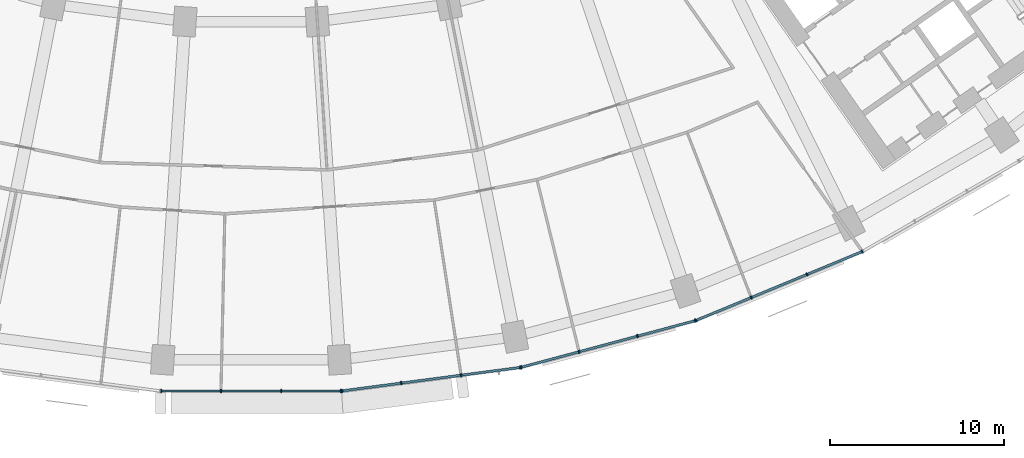
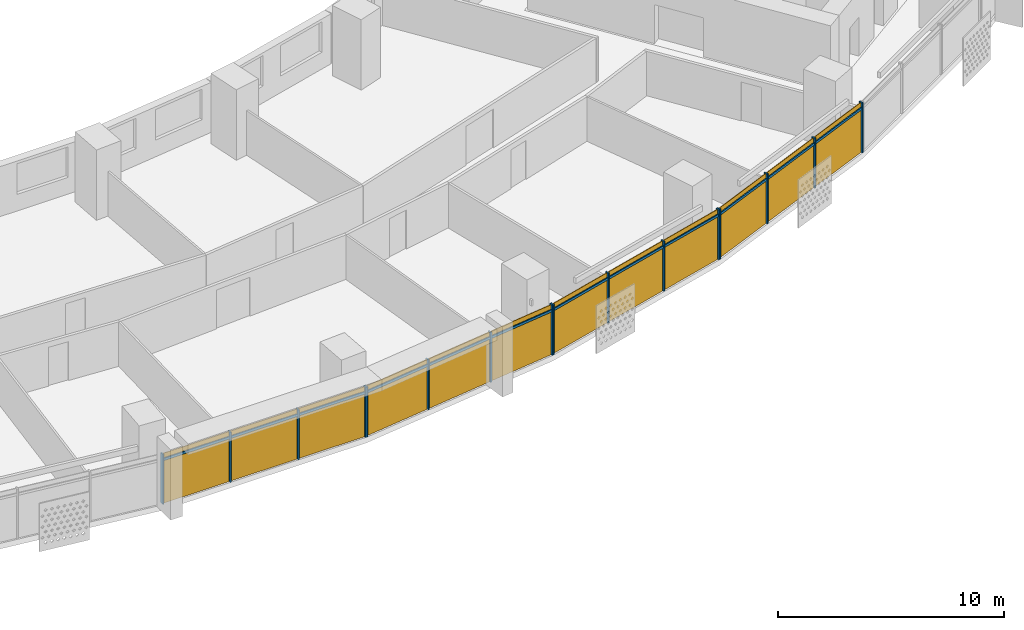
# One storey, part 22 of 31: 28 members, 4 curtain walls.
"""IFC4 building model written with IfcOpenShell, lengths in metres."""

from ifc_helpers import new_model, si_unit, direction, frame, origin, origin_2d, place, context, subcontext, project, spatial, rectangle, extrude, material, material_profile, profile_set, type_object, element, aggregate, save


model = new_model("IFC4")

# Units and contexts
model_context = context("Model", 3, precision=1e-05, world=origin(), true_north=direction((0.0, 1.0)))
body_context = subcontext(model_context, "Body", "Model", "MODEL_VIEW")
ifc_project = project(units=[si_unit("LENGTHUNIT", "METRE"), si_unit("AREAUNIT", "SQUARE_METRE"), si_unit("VOLUMEUNIT", "CUBIC_METRE"), si_unit("PLANEANGLEUNIT", "RADIAN"), si_unit("MASSUNIT", "GRAM", prefix="KILO")], contexts=[model_context])

# Member
ifc_material = material(Name="Aluminium 6063-T6 anodised", Category="aluminium")
ifc_material_profile_1 = material_profile(ifc_material, rectangle(XDim=0.199951171875, YDim=0.070068359375, at=origin_2d()))
ifc_profile_set_1 = profile_set([ifc_material_profile_1], Name="Aluminium 6063-T6 anodised")
member_type_1 = type_object("IfcMemberType", Name="Mullion 70 x 200 aluminium", PredefinedType="MULLION", material=ifc_profile_set_1)
site_placement = place(None, origin())
building_placement = place(site_placement, origin())
storey_placement = place(building_placement, frame((0.0, 0.0, 74.699951171875)))
member_1_placement = place(storey_placement, frame((-5.17431640625, -79.37939453125, 0.0), z_axis=(0.0, 0.0, 1.0), x_axis=(0.0, 1.0, 0.0)))
member_1 = element("IfcMember", 1, at=member_1_placement, type_object=member_type_1, Name="e-cw1-L15-out08/M00", PredefinedType="MULLION", context=body_context, shape_type="SweptSolid", body=[
    extrude(rectangle(XDim=0.199951171875, YDim=0.070068359375, at=origin_2d()), origin(), (0.0, 0.0, 1.0), 2.699951171875),
])

member_2_placement = place(storey_placement, frame((-1.736572265625, -79.37939453125, 0.0), z_axis=(0.0, 0.0, 1.0), x_axis=(0.0, 1.0, 0.0)))
member_2 = element("IfcMember", 2, at=member_2_placement, type_object=member_type_1, Name="e-cw1-L15-out08/M01", PredefinedType="MULLION", context=body_context, shape_type="SweptSolid", body=[
    extrude(rectangle(XDim=0.199951171875, YDim=0.070068359375, at=origin_2d()), origin(), (0.0, 0.0, 1.0), 2.699951171875),
])

member_3_placement = place(storey_placement, frame((1.736572265625, -79.37939453125, 0.0), z_axis=(0.0, 0.0, 1.0), x_axis=(0.0, 1.0, 0.0)))
member_3 = element("IfcMember", 3, at=member_3_placement, type_object=member_type_1, Name="e-cw1-L15-out08/M02", PredefinedType="MULLION", context=body_context, shape_type="SweptSolid", body=[
    extrude(rectangle(XDim=0.199951171875, YDim=0.070068359375, at=origin_2d()), origin(), (0.0, 0.0, 1.0), 2.699951171875),
])

member_4_placement = place(storey_placement, frame((5.17431640625, -79.37939453125, 0.0), z_axis=(0.0, 0.0, 1.0), x_axis=(0.0, 1.0, 0.0)))
member_4 = element("IfcMember", 4, at=member_4_placement, type_object=member_type_1, Name="e-cw1-L15-out08/M03", PredefinedType="MULLION", context=body_context, shape_type="SweptSolid", body=[
    extrude(rectangle(XDim=0.199951171875, YDim=0.070068359375, at=origin_2d()), origin(), (0.0, 0.0, 1.0), 2.699951171875),
])

member_5_placement = place(storey_placement, frame((5.23095703125, -79.375732421875, 0.0), z_axis=(0.0, 0.0, 1.0), x_axis=(-0.13052619222, 0.991444861374, 0.0)))
member_5 = element("IfcMember", 5, at=member_5_placement, type_object=member_type_1, Name="e-cw1-L15-out09/M00", PredefinedType="MULLION", context=body_context, shape_type="SweptSolid", body=[
    extrude(rectangle(XDim=0.199951171875, YDim=0.070068359375, at=origin_2d()), origin(), (0.0, 0.0, 1.0), 2.699951171875),
])

member_6_placement = place(storey_placement, frame((8.639404296875, -78.927001953125, 0.0), z_axis=(0.0, 0.0, 1.0), x_axis=(-0.13052619222, 0.991444861374, 0.0)))
member_6 = element("IfcMember", 6, at=member_6_placement, type_object=member_type_1, Name="e-cw1-L15-out09/M01", PredefinedType="MULLION", context=body_context, shape_type="SweptSolid", body=[
    extrude(rectangle(XDim=0.199951171875, YDim=0.070068359375, at=origin_2d()), origin(), (0.0, 0.0, 1.0), 2.699951171875),
])

member_7_placement = place(storey_placement, frame((12.082763671875, -78.4736328125, 0.0), z_axis=(0.0, 0.0, 1.0), x_axis=(-0.13052619222, 0.991444861374, 0.0)))
member_7 = element("IfcMember", 7, at=member_7_placement, type_object=member_type_1, Name="e-cw1-L15-out09/M02", PredefinedType="MULLION", context=body_context, shape_type="SweptSolid", body=[
    extrude(rectangle(XDim=0.199951171875, YDim=0.070068359375, at=origin_2d()), origin(), (0.0, 0.0, 1.0), 2.699951171875),
])

member_8_placement = place(storey_placement, frame((15.4912109375, -78.02490234375, 0.0), z_axis=(0.0, 0.0, 1.0), x_axis=(-0.13052619222, 0.991444861374, 0.0)))
member_8 = element("IfcMember", 8, at=member_8_placement, type_object=member_type_1, Name="e-cw1-L15-out09/M03", PredefinedType="MULLION", context=body_context, shape_type="SweptSolid", body=[
    extrude(rectangle(XDim=0.199951171875, YDim=0.070068359375, at=origin_2d()), origin(), (0.0, 0.0, 1.0), 2.699951171875),
])

member_9_placement = place(storey_placement, frame((15.546875, -78.013916015625, 0.0), z_axis=(0.0, 0.0, 1.0), x_axis=(-0.258819045103, 0.965925826289, 0.0)))
member_9 = element("IfcMember", 9, at=member_9_placement, type_object=member_type_1, Name="e-cw1-L15-out10/M00", PredefinedType="MULLION", context=body_context, shape_type="SweptSolid", body=[
    extrude(rectangle(XDim=0.199951171875, YDim=0.070068359375, at=origin_2d()), origin(), (0.0, 0.0, 1.0), 2.699951171875),
])

member_10_placement = place(storey_placement, frame((18.86767578125, -77.1240234375, 0.0), z_axis=(0.0, 0.0, 1.0), x_axis=(-0.258819045103, 0.965925826289, 0.0)))
member_10 = element("IfcMember", 10, at=member_10_placement, type_object=member_type_1, Name="e-cw1-L15-out10/M01", PredefinedType="MULLION", context=body_context, shape_type="SweptSolid", body=[
    extrude(rectangle(XDim=0.199951171875, YDim=0.070068359375, at=origin_2d()), origin(), (0.0, 0.0, 1.0), 2.699951171875),
])

member_11_placement = place(storey_placement, frame((22.22216796875, -76.225341796875, 0.0), z_axis=(0.0, 0.0, 1.0), x_axis=(-0.258819045103, 0.965925826289, 0.0)))
member_11 = element("IfcMember", 11, at=member_11_placement, type_object=member_type_1, Name="e-cw1-L15-out10/M02", PredefinedType="MULLION", context=body_context, shape_type="SweptSolid", body=[
    extrude(rectangle(XDim=0.199951171875, YDim=0.070068359375, at=origin_2d()), origin(), (0.0, 0.0, 1.0), 2.699951171875),
])

member_12_placement = place(storey_placement, frame((25.54296875, -75.33544921875, 0.0), z_axis=(0.0, 0.0, 1.0), x_axis=(-0.258819045103, 0.965925826289, 0.0)))
member_12 = element("IfcMember", 12, at=member_12_placement, type_object=member_type_1, Name="e-cw1-L15-out10/M03", PredefinedType="MULLION", context=body_context, shape_type="SweptSolid", body=[
    extrude(rectangle(XDim=0.199951171875, YDim=0.070068359375, at=origin_2d()), origin(), (0.0, 0.0, 1.0), 2.699951171875),
])

member_13_placement = place(storey_placement, frame((25.5966796875, -75.317138671875, 0.0), z_axis=(0.0, 0.0, 1.0), x_axis=(-0.382683432365, 0.923879532511, 0.0)))
member_13 = element("IfcMember", 13, at=member_13_placement, type_object=member_type_1, Name="e-cw1-L15-out11/M00", PredefinedType="MULLION", context=body_context, shape_type="SweptSolid", body=[
    extrude(rectangle(XDim=0.199951171875, YDim=0.070068359375, at=origin_2d()), origin(), (0.0, 0.0, 1.0), 2.699951171875),
])

member_14_placement = place(storey_placement, frame((28.77294921875, -74.00146484375, 0.0), z_axis=(0.0, 0.0, 1.0), x_axis=(-0.382683432365, 0.923879532511, 0.0)))
member_14 = element("IfcMember", 14, at=member_14_placement, type_object=member_type_1, Name="e-cw1-L15-out11/M01", PredefinedType="MULLION", context=body_context, shape_type="SweptSolid", body=[
    extrude(rectangle(XDim=0.199951171875, YDim=0.070068359375, at=origin_2d()), origin(), (0.0, 0.0, 1.0), 2.699951171875),
])

member_15_placement = place(storey_placement, frame((31.9814453125, -72.672607421875, 0.0), z_axis=(0.0, 0.0, 1.0), x_axis=(-0.382683432365, 0.923879532511, 0.0)))
member_15 = element("IfcMember", 15, at=member_15_placement, type_object=member_type_1, Name="e-cw1-L15-out11/M02", PredefinedType="MULLION", context=body_context, shape_type="SweptSolid", body=[
    extrude(rectangle(XDim=0.199951171875, YDim=0.070068359375, at=origin_2d()), origin(), (0.0, 0.0, 1.0), 2.699951171875),
])

member_16_placement = place(storey_placement, frame((35.15771484375, -71.35693359375, 0.0), z_axis=(0.0, 0.0, 1.0), x_axis=(-0.382683432365, 0.923879532511, 0.0)))
member_16 = element("IfcMember", 16, at=member_16_placement, type_object=member_type_1, Name="e-cw1-L15-out11/M03", PredefinedType="MULLION", context=body_context, shape_type="SweptSolid", body=[
    extrude(rectangle(XDim=0.199951171875, YDim=0.070068359375, at=origin_2d()), origin(), (0.0, 0.0, 1.0), 2.699951171875),
])

ifc_material_profile_2 = material_profile(ifc_material, rectangle(XDim=0.139892578125, YDim=0.1201171875, at=origin_2d()))
ifc_profile_set_2 = profile_set([ifc_material_profile_2], Name="Aluminium 6063-T6 anodised")
member_type_2 = type_object("IfcMemberType", Name="Transom 120 x 140 aluminium", PredefinedType="USERDEFINED", material=ifc_profile_set_2)
member_17_placement = place(storey_placement, frame((-5.139404296875, -79.37939453125, 2.400146484375), z_axis=(1.0, 0.0, 0.0), x_axis=(0.0, 1.0, 0.0)))
member_17 = element("IfcMember", 17, at=member_17_placement, type_object=member_type_2, Name="e-cw1-L15-out08/T00", ObjectType="TRANSOM", PredefinedType="USERDEFINED", context=body_context, shape_type="SweptSolid", body=[
    extrude(rectangle(XDim=0.139892578125, YDim=0.1201171875, at=origin_2d()), origin(), (0.0, 0.0, 1.0), 3.367919921875),
])

member_18_placement = place(storey_placement, frame((-1.701416015625, -79.37939453125, 2.400146484375), z_axis=(1.0, 0.0, 0.0), x_axis=(0.0, 1.0, 0.0)))
member_18 = element("IfcMember", 18, at=member_18_placement, type_object=member_type_2, Name="e-cw1-L15-out08/T01", ObjectType="TRANSOM", PredefinedType="USERDEFINED", context=body_context, shape_type="SweptSolid", body=[
    extrude(rectangle(XDim=0.139892578125, YDim=0.1201171875, at=origin_2d()), origin(), (0.0, 0.0, 1.0), 3.40283203125),
])

member_19_placement = place(storey_placement, frame((1.771484375, -79.37939453125, 2.400146484375), z_axis=(1.0, 0.0, 0.0), x_axis=(0.0, 1.0, 0.0)))
member_19 = element("IfcMember", 19, at=member_19_placement, type_object=member_type_2, Name="e-cw1-L15-out08/T02", ObjectType="TRANSOM", PredefinedType="USERDEFINED", context=body_context, shape_type="SweptSolid", body=[
    extrude(rectangle(XDim=0.139892578125, YDim=0.1201171875, at=origin_2d()), origin(), (0.0, 0.0, 1.0), 3.367919921875),
])

member_20_placement = place(storey_placement, frame((5.265625, -79.37109375, 2.400146484375), z_axis=(0.991450594138, 0.130482640159, 0.0), x_axis=(-0.130482640159, 0.991450594138, 0.0)))
member_20 = element("IfcMember", 20, at=member_20_placement, type_object=member_type_2, Name="e-cw1-L15-out09/T00", ObjectType="TRANSOM", PredefinedType="USERDEFINED", context=body_context, shape_type="SweptSolid", body=[
    extrude(rectangle(XDim=0.139892578125, YDim=0.1201171875, at=origin_2d()), origin(), (0.0, 0.0, 1.0), 3.367919921875),
])

member_21_placement = place(storey_placement, frame((8.67431640625, -78.92236328125, 2.400146484375), z_axis=(0.991447700941, 0.130504621753, 0.0), x_axis=(-0.130504621753, 0.991447700941, 0.0)))
member_21 = element("IfcMember", 21, at=member_21_placement, type_object=member_type_2, Name="e-cw1-L15-out09/T01", ObjectType="TRANSOM", PredefinedType="USERDEFINED", context=body_context, shape_type="SweptSolid", body=[
    extrude(rectangle(XDim=0.139892578125, YDim=0.1201171875, at=origin_2d()), origin(), (0.0, 0.0, 1.0), 3.40283203125),
])

member_22_placement = place(storey_placement, frame((12.117431640625, -78.46923828125, 2.400146484375), z_axis=(0.9914412138, 0.130553895303, 0.0), x_axis=(-0.130553895303, 0.9914412138, 0.0)))
member_22 = element("IfcMember", 22, at=member_22_placement, type_object=member_type_2, Name="e-cw1-L15-out09/T02", ObjectType="TRANSOM", PredefinedType="USERDEFINED", context=body_context, shape_type="SweptSolid", body=[
    extrude(rectangle(XDim=0.139892578125, YDim=0.1201171875, at=origin_2d()), origin(), (0.0, 0.0, 1.0), 3.367919921875),
])

member_23_placement = place(storey_placement, frame((15.58056640625, -78.0048828125, 2.400146484375), z_axis=(0.965915368772, 0.258858069935, 0.0), x_axis=(-0.258858069935, 0.965915368772, 0.0)))
member_23 = element("IfcMember", 23, at=member_23_placement, type_object=member_type_2, Name="e-cw1-L15-out10/T00", ObjectType="TRANSOM", PredefinedType="USERDEFINED", context=body_context, shape_type="SweptSolid", body=[
    extrude(rectangle(XDim=0.139892578125, YDim=0.1201171875, at=origin_2d()), origin(), (0.0, 0.0, 1.0), 3.367919921875),
])

member_24_placement = place(storey_placement, frame((18.9013671875, -77.114990234375, 2.400146484375), z_axis=(0.965937804901, 0.258774336176, 0.0), x_axis=(-0.258774336176, 0.965937804901, 0.0)))
member_24 = element("IfcMember", 24, at=member_24_placement, type_object=member_type_2, Name="e-cw1-L15-out10/T01", ObjectType="TRANSOM", PredefinedType="USERDEFINED", context=body_context, shape_type="SweptSolid", body=[
    extrude(rectangle(XDim=0.139892578125, YDim=0.1201171875, at=origin_2d()), origin(), (0.0, 0.0, 1.0), 3.403076171875),
])

member_25_placement = place(storey_placement, frame((22.256103515625, -76.21630859375, 2.400146484375), z_axis=(0.965915368772, 0.258858069935, 0.0), x_axis=(-0.258858069935, 0.965915368772, 0.0)))
member_25 = element("IfcMember", 25, at=member_25_placement, type_object=member_type_2, Name="e-cw1-L15-out10/T02", ObjectType="TRANSOM", PredefinedType="USERDEFINED", context=body_context, shape_type="SweptSolid", body=[
    extrude(rectangle(XDim=0.139892578125, YDim=0.1201171875, at=origin_2d()), origin(), (0.0, 0.0, 1.0), 3.367919921875),
])

member_26_placement = place(storey_placement, frame((25.629150390625, -75.3037109375, 2.400146484375), z_axis=(0.923872807855, 0.382699666719, 0.0), x_axis=(-0.382699666719, 0.923872807855, 0.0)))
member_26 = element("IfcMember", 26, at=member_26_placement, type_object=member_type_2, Name="e-cw1-L15-out11/T00", ObjectType="TRANSOM", PredefinedType="USERDEFINED", context=body_context, shape_type="SweptSolid", body=[
    extrude(rectangle(XDim=0.139892578125, YDim=0.1201171875, at=origin_2d()), origin(), (0.0, 0.0, 1.0), 3.36767578125),
])

member_27_placement = place(storey_placement, frame((28.80517578125, -73.98828125, 2.400146484375), z_axis=(0.92388567708, 0.382668597728, 0.0), x_axis=(-0.382668597728, 0.92388567708, 0.0)))
member_27 = element("IfcMember", 27, at=member_27_placement, type_object=member_type_2, Name="e-cw1-L15-out11/T01", ObjectType="TRANSOM", PredefinedType="USERDEFINED", context=body_context, shape_type="SweptSolid", body=[
    extrude(rectangle(XDim=0.139892578125, YDim=0.1201171875, at=origin_2d()), origin(), (0.0, 0.0, 1.0), 3.403076171875),
])

member_28_placement = place(storey_placement, frame((32.013916015625, -72.6591796875, 2.400146484375), z_axis=(0.923872807855, 0.382699666719, 0.0), x_axis=(-0.382699666719, 0.923872807855, 0.0)))
member_28 = element("IfcMember", 28, at=member_28_placement, type_object=member_type_2, Name="e-cw1-L15-out11/T02", ObjectType="TRANSOM", PredefinedType="USERDEFINED", context=body_context, shape_type="SweptSolid", body=[
    extrude(rectangle(XDim=0.139892578125, YDim=0.1201171875, at=origin_2d()), origin(), (0.0, 0.0, 1.0), 3.36767578125),
])

# Site, building, storey
site = spatial("IfcSite", under=ifc_project, at=site_placement, CompositionType="ELEMENT")
building = spatial("IfcBuilding", under=site, at=building_placement, Name="Qamariyya Broadcast Tower", CompositionType="ELEMENT")
storey = spatial("IfcBuildingStorey", under=building, at=storey_placement, Name="L15", CompositionType="ELEMENT", Elevation=74.699951171875)

# Curtain wall
curtain_wall_type = type_object("IfcCurtainWallType", Name="Unitised curtain wall, anodised aluminium", PredefinedType="NOTDEFINED", material=ifc_material)
curtain_wall_1_placement = place(storey_placement, origin())
curtain_wall_1 = element("IfcCurtainWall", 29, at=curtain_wall_1_placement, inside=storey, type_object=curtain_wall_type, Name="e-cw1-L15-out08", PredefinedType="NOTDEFINED", context=body_context, shape_type="SweptSolid", body=[
    extrude(rectangle(XDim=3.367919921875, YDim=0.031982421875, at=origin_2d()), frame((-3.45556640625, -79.37939453125, 0.0), x_axis=(1.0, 0.0, 0.0)), (0.0, 0.0, 1.0), 2.340087890625),
    extrude(rectangle(XDim=3.367919921875, YDim=0.031982421875, at=origin_2d()), frame((-3.45556640625, -79.37939453125, 2.4599609375), x_axis=(1.0, 0.0, 0.0)), (0.0, 0.0, 1.0), 0.239990234375),
    extrude(rectangle(XDim=3.403076171875, YDim=0.031982421875, at=origin_2d()), frame((0.0, -79.37939453125, 0.0), x_axis=(1.0, 0.0, 0.0)), (0.0, 0.0, 1.0), 2.340087890625),
    extrude(rectangle(XDim=3.403076171875, YDim=0.031982421875, at=origin_2d()), frame((0.0, -79.37939453125, 2.4599609375), x_axis=(1.0, 0.0, 0.0)), (0.0, 0.0, 1.0), 0.239990234375),
    extrude(rectangle(XDim=3.367919921875, YDim=0.031982421875, at=origin_2d()), frame((3.45556640625, -79.37939453125, 0.0), x_axis=(1.0, 0.0, 0.0)), (0.0, 0.0, 1.0), 2.340087890625),
    extrude(rectangle(XDim=3.367919921875, YDim=0.031982421875, at=origin_2d()), frame((3.45556640625, -79.37939453125, 2.4599609375), x_axis=(1.0, 0.0, 0.0)), (0.0, 0.0, 1.0), 0.239990234375),
])

aggregate(curtain_wall_1, [member_1, member_2, member_3, member_4, member_17, member_18, member_19])

curtain_wall_2_placement = place(storey_placement, origin())
curtain_wall_2 = element("IfcCurtainWall", 30, at=curtain_wall_2_placement, inside=storey, type_object=curtain_wall_type, Name="e-cw1-L15-out09", PredefinedType="NOTDEFINED", context=body_context, shape_type="SweptSolid", body=[
    extrude(rectangle(XDim=3.367919921875, YDim=0.031982421875, at=origin_2d()), frame((6.935302734375, -79.1513671875, 0.0), x_axis=(0.991445519925, 0.130521189931, 0.0)), (0.0, 0.0, 1.0), 2.340087890625),
    extrude(rectangle(XDim=3.367919921875, YDim=0.031982421875, at=origin_2d()), frame((6.935302734375, -79.1513671875, 2.4599609375), x_axis=(0.991445519925, 0.130521189931, 0.0)), (0.0, 0.0, 1.0), 0.239990234375),
    extrude(rectangle(XDim=3.40283203125, YDim=0.031982421875, at=origin_2d()), frame((10.361083984375, -78.700439453125, 0.0), x_axis=(0.991445519925, 0.130521189931, 0.0)), (0.0, 0.0, 1.0), 2.340087890625),
    extrude(rectangle(XDim=3.40283203125, YDim=0.031982421875, at=origin_2d()), frame((10.361083984375, -78.700439453125, 2.4599609375), x_axis=(0.991445519925, 0.130521189931, 0.0)), (0.0, 0.0, 1.0), 0.239990234375),
    extrude(rectangle(XDim=3.367919921875, YDim=0.031982421875, at=origin_2d()), frame((13.786865234375, -78.24951171875, 0.0), x_axis=(0.991445519925, 0.130521189931, 0.0)), (0.0, 0.0, 1.0), 2.340087890625),
    extrude(rectangle(XDim=3.367919921875, YDim=0.031982421875, at=origin_2d()), frame((13.786865234375, -78.24951171875, 2.4599609375), x_axis=(0.991445519925, 0.130521189931, 0.0)), (0.0, 0.0, 1.0), 0.239990234375),
])

aggregate(curtain_wall_2, [member_5, member_6, member_7, member_8, member_20, member_21, member_22])

curtain_wall_3_placement = place(storey_placement, origin())
curtain_wall_3 = element("IfcCurtainWall", 31, at=curtain_wall_3_placement, inside=storey, type_object=curtain_wall_type, Name="e-cw1-L15-out10", PredefinedType="NOTDEFINED", context=body_context, shape_type="SweptSolid", body=[
    extrude(rectangle(XDim=3.367919921875, YDim=0.031982421875, at=origin_2d()), frame((17.207275390625, -77.569091796875, 0.0), x_axis=(0.965925039578, 0.258821981129, 0.0)), (0.0, 0.0, 1.0), 2.340087890625),
    extrude(rectangle(XDim=3.367919921875, YDim=0.031982421875, at=origin_2d()), frame((17.207275390625, -77.569091796875, 2.4599609375), x_axis=(0.965925039578, 0.258821981129, 0.0)), (0.0, 0.0, 1.0), 0.239990234375),
    extrude(rectangle(XDim=3.40283203125, YDim=0.031982421875, at=origin_2d()), frame((20.544921875, -76.6748046875, 0.0), x_axis=(0.965925039578, 0.258821981129, 0.0)), (0.0, 0.0, 1.0), 2.340087890625),
    extrude(rectangle(XDim=3.40283203125, YDim=0.031982421875, at=origin_2d()), frame((20.544921875, -76.6748046875, 2.4599609375), x_axis=(0.965925039578, 0.258821981129, 0.0)), (0.0, 0.0, 1.0), 0.239990234375),
    extrude(rectangle(XDim=3.367919921875, YDim=0.031982421875, at=origin_2d()), frame((23.882568359375, -75.7802734375, 0.0), x_axis=(0.965925039578, 0.258821981129, 0.0)), (0.0, 0.0, 1.0), 2.340087890625),
    extrude(rectangle(XDim=3.367919921875, YDim=0.031982421875, at=origin_2d()), frame((23.882568359375, -75.7802734375, 2.4599609375), x_axis=(0.965925039578, 0.258821981129, 0.0)), (0.0, 0.0, 1.0), 0.239990234375),
])

aggregate(curtain_wall_3, [member_9, member_10, member_11, member_12, member_23, member_24, member_25])

curtain_wall_4_placement = place(storey_placement, origin())
curtain_wall_4 = element("IfcCurtainWall", 32, at=curtain_wall_4_placement, inside=storey, type_object=curtain_wall_type, Name="e-cw1-L15-out11", PredefinedType="NOTDEFINED", context=body_context, shape_type="SweptSolid", body=[
    extrude(rectangle(XDim=3.367919921875, YDim=0.031982421875, at=origin_2d()), frame((27.184814453125, -74.659423828125, 0.0), x_axis=(0.92387774222, 0.382687754482, 0.0)), (0.0, 0.0, 1.0), 2.340087890625),
    extrude(rectangle(XDim=3.367919921875, YDim=0.031982421875, at=origin_2d()), frame((27.184814453125, -74.659423828125, 2.4599609375), x_axis=(0.92387774222, 0.382687754482, 0.0)), (0.0, 0.0, 1.0), 0.239990234375),
    extrude(rectangle(XDim=3.40283203125, YDim=0.031982421875, at=origin_2d()), frame((30.377197265625, -73.3369140625, 0.0), x_axis=(0.92387774222, 0.382687754482, 0.0)), (0.0, 0.0, 1.0), 2.340087890625),
    extrude(rectangle(XDim=3.40283203125, YDim=0.031982421875, at=origin_2d()), frame((30.377197265625, -73.3369140625, 2.4599609375), x_axis=(0.92387774222, 0.382687754482, 0.0)), (0.0, 0.0, 1.0), 0.239990234375),
    extrude(rectangle(XDim=3.367919921875, YDim=0.031982421875, at=origin_2d()), frame((33.569580078125, -72.0146484375, 0.0), x_axis=(0.92387774222, 0.382687754482, 0.0)), (0.0, 0.0, 1.0), 2.340087890625),
    extrude(rectangle(XDim=3.367919921875, YDim=0.031982421875, at=origin_2d()), frame((33.569580078125, -72.0146484375, 2.4599609375), x_axis=(0.92387774222, 0.382687754482, 0.0)), (0.0, 0.0, 1.0), 0.239990234375),
])

aggregate(curtain_wall_4, [member_13, member_14, member_15, member_16, member_26, member_27, member_28])

save(model, "model.ifc")
